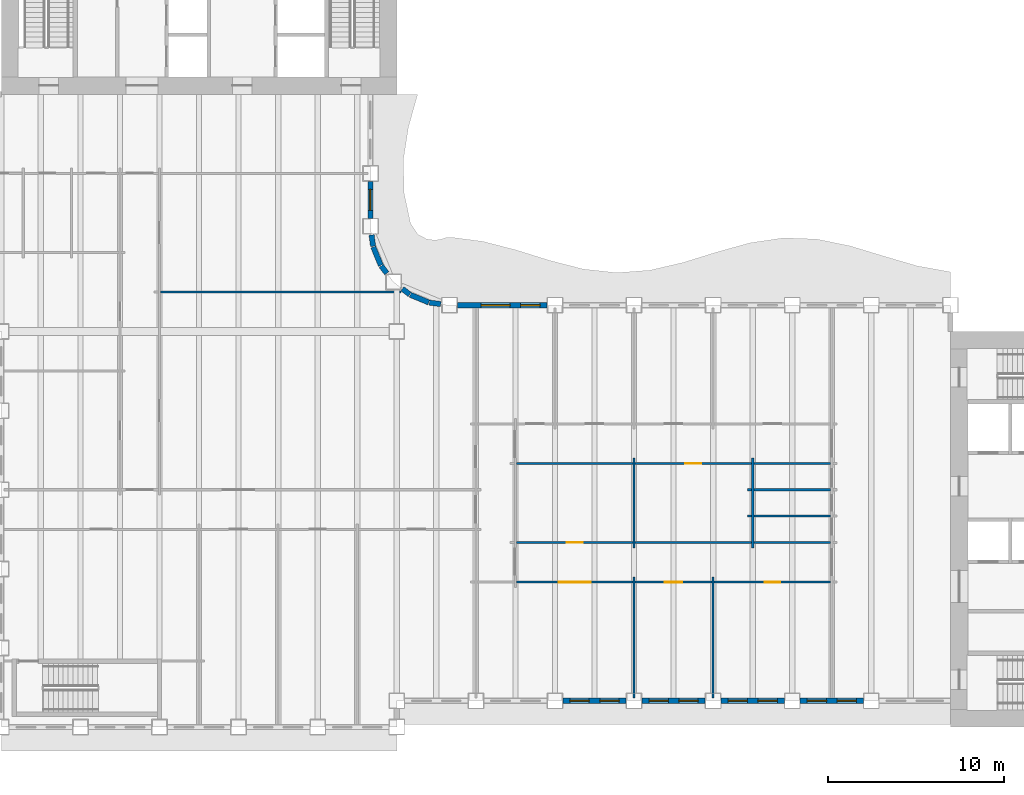
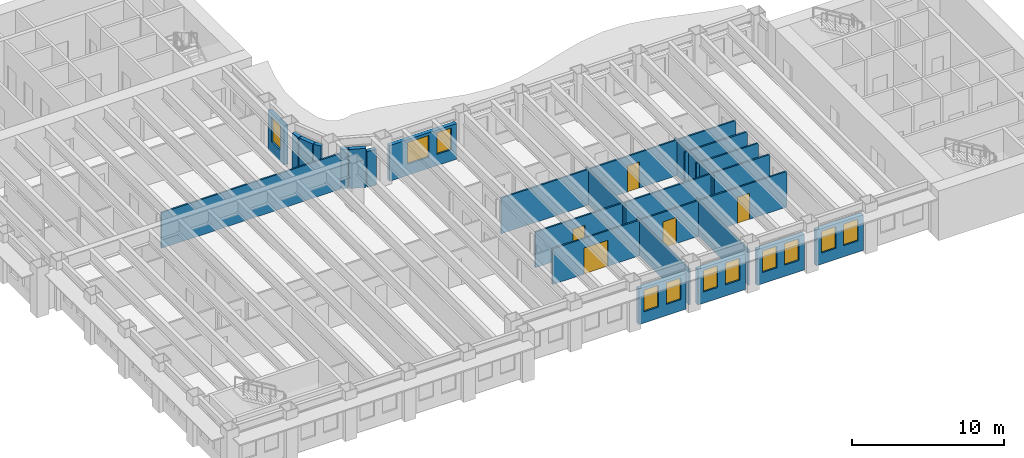
# One storey, part 5 of 16: 30 walls, 11 windows, 5 doors, 16 openings.
"""IFC4 building model written with IfcOpenShell, lengths in metres."""

from ifc_helpers import new_model, si_unit, direction, frame, frame_2d, origin, place, context, subcontext, project, spatial, rectangle, extrude, material, layer, layer_set, type_object, element, fill, save


model = new_model("IFC4")

# Units and contexts
model_context = context("Model", 3, precision=1e-05, world=origin(), true_north=direction((0.0, 1.0)))
body_context = subcontext(model_context, "Body", "Model", "MODEL_VIEW")
ifc_project = project(units=[si_unit("LENGTHUNIT", "METRE"), si_unit("AREAUNIT", "SQUARE_METRE"), si_unit("VOLUMEUNIT", "CUBIC_METRE"), si_unit("PLANEANGLEUNIT", "RADIAN"), si_unit("MASSUNIT", "GRAM", prefix="KILO")], contexts=[model_context])

# Site, building, storey
site_placement = place(None, origin())
site = spatial("IfcSite", under=ifc_project, at=site_placement, CompositionType="ELEMENT")
building_placement = place(site_placement, origin())
building = spatial("IfcBuilding", under=site, at=building_placement, Name="Sennacour Bend Tower", CompositionType="ELEMENT")
storey_placement = place(building_placement, frame((0.0, 0.0, 171.0)))
storey = spatial("IfcBuildingStorey", under=building, at=storey_placement, Name="L39", CompositionType="ELEMENT", Elevation=171.0)

# Walls
ifc_material_1 = material(Name="Plasterboard partition on steel studs", Category="steel")
ifc_layer_1 = layer(ifc_material_1, 0.1201171875, Name="Plasterboard partition on steel studs", Category="steel")
ifc_layer_set_1 = layer_set([ifc_layer_1], Name="Plasterboard partition on steel studs")
wall_type_1 = type_object("IfcWallType", Name="Partition 120", PredefinedType="PARTITIONING", material=ifc_layer_set_1)
wall_1_placement = place(storey_placement, frame((36.0, 1.64990234375, 0.0), z_axis=(0.0, 0.0, 1.0), x_axis=(0.0, 1.0, 0.0)))
element("IfcWall", 1, at=wall_1_placement, inside=storey, type_object=wall_type_1, Name="P-L39-W030a", PredefinedType="PARTITIONING", context=body_context, shape_type="SweptSolid", body=[
    extrude(rectangle(XDim=6.900146484375, YDim=0.1201171875, at=frame_2d((3.4501953125, 0.0))), origin(), (0.0, 0.0, 1.0), 2.8701171875),
])
wall_2_placement = place(storey_placement, frame((36.0, 10.199951171875, 0.0), z_axis=(0.0, 0.0, 1.0), x_axis=(0.0, 1.0, 0.0)))
element("IfcWall", 2, at=wall_2_placement, inside=storey, type_object=wall_type_1, Name="P-L39-W031a", PredefinedType="PARTITIONING", context=body_context, shape_type="SweptSolid", body=[
    extrude(rectangle(XDim=5.10009765625, YDim=0.1201171875, at=frame_2d((2.550048828125, 0.0))), origin(), (0.0, 0.0, 1.0), 2.8701171875),
])
wall_3_placement = place(storey_placement, frame((40.5, 1.64990234375, 0.0), z_axis=(0.0, 0.0, 1.0), x_axis=(0.0, 1.0, 0.0)))
element("IfcWall", 3, at=wall_3_placement, inside=storey, type_object=wall_type_1, Name="P-L39-W033a", PredefinedType="PARTITIONING", context=body_context, shape_type="SweptSolid", body=[
    extrude(rectangle(XDim=6.900146484375, YDim=0.1201171875, at=frame_2d((3.4501953125, 0.0))), origin(), (0.0, 0.0, 1.0), 2.8701171875),
])
wall_4_placement = place(storey_placement, frame((42.75, 10.199951171875, 0.0), z_axis=(0.0, 0.0, 1.0), x_axis=(0.0, 1.0, 0.0)))
element("IfcWall", 4, at=wall_4_placement, inside=storey, type_object=wall_type_1, Name="P-L39-W035a", PredefinedType="PARTITIONING", context=body_context, shape_type="SweptSolid", body=[
    extrude(rectangle(XDim=5.10009765625, YDim=0.1201171875, at=frame_2d((2.550048828125, 0.0))), origin(), (0.0, 0.0, 1.0), 2.8701171875),
])

# Wall, opening, door
wall_5_placement = place(storey_placement, frame((29.31005859375, 8.25, 0.0), z_axis=(0.0, 0.0, 1.0), x_axis=(1.0, 0.0, 0.0)))
wall_5 = element("IfcWall", 5, at=wall_5_placement, inside=storey, type_object=wall_type_1, Name="P-L39-W060ac", PredefinedType="PARTITIONING", context=body_context, shape_type="SweptSolid", body=[
    extrude(rectangle(XDim=6.6298828125, YDim=0.1201171875, at=frame_2d((3.31494140625, 0.0))), origin(), (0.0, 0.0, 1.0), 2.8701171875),
])
opening_1_placement = place(wall_5_placement, frame((2.414794921875, 0.0, 0.0)))
opening_1 = element("IfcOpeningElement", 6, at=opening_1_placement, cuts=wall_5, Name="Opening OD3", PredefinedType="OPENING", context=body_context, shape_type="SweptSolid", body=[
    extrude(rectangle(XDim=1.800048828125, YDim=2.10009765625, at=frame_2d((0.89990234375, 1.050048828125))), frame((0.0, 0.070068359375, 0.0), z_axis=(0.0, -1.0, 0.0), x_axis=(1.0, 0.0, 0.0)), (0.0, 0.0, 1.0), 0.14013671875),
])
ifc_material_2 = material(Name="Timber", Category="wood")
door_type_1 = type_object("IfcDoorType", Name="DR-OFFICE-1800", OperationType="NOTDEFINED", PredefinedType="DOOR", material=ifc_material_2)
door_1_placement = place(opening_1_placement, origin())
door_1 = element("IfcDoor", 7, at=door_1_placement, inside=storey, type_object=door_type_1, Name="Door", OperationType="DOUBLE_DOOR_SINGLE_SWING", OverallHeight=2.10009765625, OverallWidth=1.800048828125, PredefinedType="DOOR", context=body_context, shape_type="SweptSolid", body=[
    extrude(rectangle(XDim=1.800048828125, YDim=2.10009765625, at=frame_2d((0.89990234375, 1.050048828125))), frame((0.0, 0.02490234375, 0.0), z_axis=(0.0, -1.0, 0.0), x_axis=(1.0, 0.0, 0.0)), (0.0, 0.0, 1.0), 0.050048828125),
])
fill(opening_1, door_1)

wall_6_placement = place(storey_placement, frame((36.06005859375, 8.25, 0.0), z_axis=(0.0, 0.0, 1.0), x_axis=(1.0, 0.0, 0.0)))
wall_6 = element("IfcWall", 8, at=wall_6_placement, inside=storey, type_object=wall_type_1, Name="P-L39-W060ad", PredefinedType="PARTITIONING", context=body_context, shape_type="SweptSolid", body=[
    extrude(rectangle(XDim=4.3798828125, YDim=0.1201171875, at=frame_2d((2.18994140625, 0.0))), origin(), (0.0, 0.0, 1.0), 2.8701171875),
])
opening_2_placement = place(wall_6_placement, frame((1.68994140625, 0.0, 0.0)))
opening_2 = element("IfcOpeningElement", 9, at=opening_2_placement, cuts=wall_6, Name="Opening OD2", PredefinedType="OPENING", context=body_context, shape_type="SweptSolid", body=[
    extrude(rectangle(XDim=1.0, YDim=2.10009765625, at=frame_2d((0.5, 1.050048828125))), frame((0.0, 0.070068359375, 0.0), z_axis=(0.0, -1.0, 0.0), x_axis=(1.0, 0.0, 0.0)), (0.0, 0.0, 1.0), 0.14013671875),
])
door_type_2 = type_object("IfcDoorType", Name="DR-OFFICE-1000", OperationType="NOTDEFINED", PredefinedType="DOOR", material=ifc_material_2)
door_2_placement = place(opening_2_placement, origin())
door_2 = element("IfcDoor", 10, at=door_2_placement, inside=storey, type_object=door_type_2, Name="Door", OperationType="SINGLE_SWING_LEFT", OverallHeight=2.10009765625, OverallWidth=1.0, PredefinedType="DOOR", context=body_context, shape_type="SweptSolid", body=[
    extrude(rectangle(XDim=1.0, YDim=2.10009765625, at=frame_2d((0.5, 1.050048828125))), frame((0.0, 0.02490234375, 0.0), z_axis=(0.0, -1.0, 0.0), x_axis=(1.0, 0.0, 0.0)), (0.0, 0.0, 1.0), 0.050048828125),
])
fill(opening_2, door_2)

# Walls
wall_7_placement = place(storey_placement, frame((36.06005859375, 10.5, 0.0), z_axis=(0.0, 0.0, 1.0), x_axis=(1.0, 0.0, 0.0)))
element("IfcWall", 11, at=wall_7_placement, inside=storey, type_object=wall_type_1, Name="P-L39-W063ac", PredefinedType="PARTITIONING", context=body_context, shape_type="SweptSolid", body=[
    extrude(rectangle(XDim=6.6298828125, YDim=0.1201171875, at=frame_2d((3.31494140625, 0.0))), origin(), (0.0, 0.0, 1.0), 2.8701171875),
])
wall_8_placement = place(storey_placement, frame((42.81005859375, 10.5, 0.0), z_axis=(0.0, 0.0, 1.0), x_axis=(1.0, 0.0, 0.0)))
element("IfcWall", 12, at=wall_8_placement, inside=storey, type_object=wall_type_1, Name="P-L39-W063ad", PredefinedType="PARTITIONING", context=body_context, shape_type="SweptSolid", body=[
    extrude(rectangle(XDim=4.3798828125, YDim=0.1201171875, at=frame_2d((2.18994140625, 0.0))), origin(), (0.0, 0.0, 1.0), 2.8701171875),
])
wall_9_placement = place(storey_placement, frame((42.449951171875, 12.0, 0.0), z_axis=(0.0, 0.0, 1.0), x_axis=(1.0, 0.0, 0.0)))
element("IfcWall", 13, at=wall_9_placement, inside=storey, type_object=wall_type_1, Name="P-L39-W067aa", PredefinedType="PARTITIONING", context=body_context, shape_type="SweptSolid", body=[
    extrude(rectangle(XDim=0.239990234375, YDim=0.1201171875, at=frame_2d((0.1201171875, 0.0))), origin(), (0.0, 0.0, 1.0), 2.8701171875),
])
wall_10_placement = place(storey_placement, frame((42.81005859375, 12.0, 0.0), z_axis=(0.0, 0.0, 1.0), x_axis=(1.0, 0.0, 0.0)))
element("IfcWall", 14, at=wall_10_placement, inside=storey, type_object=wall_type_1, Name="P-L39-W067ab", PredefinedType="PARTITIONING", context=body_context, shape_type="SweptSolid", body=[
    extrude(rectangle(XDim=4.3798828125, YDim=0.1201171875, at=frame_2d((2.18994140625, 0.0))), origin(), (0.0, 0.0, 1.0), 2.8701171875),
])
wall_11_placement = place(storey_placement, frame((42.449951171875, 13.5, 0.0), z_axis=(0.0, 0.0, 1.0), x_axis=(1.0, 0.0, 0.0)))
element("IfcWall", 15, at=wall_11_placement, inside=storey, type_object=wall_type_1, Name="P-L39-W069aa", PredefinedType="PARTITIONING", context=body_context, shape_type="SweptSolid", body=[
    extrude(rectangle(XDim=0.239990234375, YDim=0.1201171875, at=frame_2d((0.1201171875, 0.0))), origin(), (0.0, 0.0, 1.0), 2.8701171875),
])
wall_12_placement = place(storey_placement, frame((42.81005859375, 13.5, 0.0), z_axis=(0.0, 0.0, 1.0), x_axis=(1.0, 0.0, 0.0)))
element("IfcWall", 16, at=wall_12_placement, inside=storey, type_object=wall_type_1, Name="P-L39-W069ab", PredefinedType="PARTITIONING", context=body_context, shape_type="SweptSolid", body=[
    extrude(rectangle(XDim=4.3798828125, YDim=0.1201171875, at=frame_2d((2.18994140625, 0.0))), origin(), (0.0, 0.0, 1.0), 2.8701171875),
])
wall_13_placement = place(storey_placement, frame((29.31005859375, 15.0, 0.0), z_axis=(0.0, 0.0, 1.0), x_axis=(1.0, 0.0, 0.0)))
element("IfcWall", 17, at=wall_13_placement, inside=storey, type_object=wall_type_1, Name="P-L39-W070ab", PredefinedType="PARTITIONING", context=body_context, shape_type="SweptSolid", body=[
    extrude(rectangle(XDim=6.6298828125, YDim=0.1201171875, at=frame_2d((3.31494140625, 0.0))), origin(), (0.0, 0.0, 1.0), 2.8701171875),
])
wall_14_placement = place(storey_placement, frame((42.81005859375, 15.0, 0.0), z_axis=(0.0, 0.0, 1.0), x_axis=(1.0, 0.0, 0.0)))
element("IfcWall", 18, at=wall_14_placement, inside=storey, type_object=wall_type_1, Name="P-L39-W070ad", PredefinedType="PARTITIONING", context=body_context, shape_type="SweptSolid", body=[
    extrude(rectangle(XDim=4.3798828125, YDim=0.1201171875, at=frame_2d((2.18994140625, 0.0))), origin(), (0.0, 0.0, 1.0), 2.8701171875),
])
wall_15_placement = place(storey_placement, frame((9.06005859375, 24.75, 0.0), z_axis=(0.0, 0.0, 1.0), x_axis=(1.0, 0.0, 0.0)))
element("IfcWall", 19, at=wall_15_placement, inside=storey, type_object=wall_type_1, Name="P-L39-W080ab", PredefinedType="PARTITIONING", context=body_context, shape_type="SweptSolid", body=[
    extrude(rectangle(XDim=13.6904296875, YDim=0.1201171875, at=frame_2d((6.84521484375, 0.0))), origin(), (0.0, 0.0, 1.0), 2.8701171875),
])

# Wall, opening, door
ifc_layer_2 = layer(ifc_material_1, 0.1201171875, Name="Plasterboard partition on steel studs", Category="steel")
ifc_layer_set_2 = layer_set([ifc_layer_2], Name="Plasterboard partition on steel studs")
wall_type_2 = type_object("IfcWallType", Name="Partition 120 EI 60", PredefinedType="PARTITIONING", material=ifc_layer_set_2)
wall_16_placement = place(storey_placement, frame((40.56005859375, 8.25, 0.0), z_axis=(0.0, 0.0, 1.0), x_axis=(1.0, 0.0, 0.0)))
wall_16 = element("IfcWall", 20, at=wall_16_placement, inside=storey, type_object=wall_type_2, Name="P-L39-W060ae", PredefinedType="PARTITIONING", context=body_context, shape_type="SweptSolid", body=[
    extrude(rectangle(XDim=6.6298828125, YDim=0.1201171875, at=frame_2d((3.31494140625, 0.0))), origin(), (0.0, 0.0, 1.0), 2.8701171875),
])
opening_3_placement = place(wall_16_placement, frame((2.864990234375, 0.0, 0.0)))
opening_3 = element("IfcOpeningElement", 21, at=opening_3_placement, cuts=wall_16, Name="Opening SV", PredefinedType="OPENING", context=body_context, shape_type="SweptSolid", body=[
    extrude(rectangle(XDim=0.89990234375, YDim=2.10009765625, at=frame_2d((0.449951171875, 1.050048828125))), frame((0.0, 0.070068359375, 0.0), z_axis=(0.0, -1.0, 0.0), x_axis=(1.0, 0.0, 0.0)), (0.0, 0.0, 1.0), 0.14013671875),
])
ifc_material_3 = material(Name="Painted steel", Category="steel")
door_type_3 = type_object("IfcDoorType", Name="DR-SERVICE-900", OperationType="NOTDEFINED", PredefinedType="DOOR", material=ifc_material_3)
door_3_placement = place(opening_3_placement, origin())
door_3 = element("IfcDoor", 22, at=door_3_placement, inside=storey, type_object=door_type_3, Name="Door", OperationType="SINGLE_SWING_LEFT", OverallHeight=2.10009765625, OverallWidth=0.89990234375, PredefinedType="DOOR", context=body_context, shape_type="SweptSolid", body=[
    extrude(rectangle(XDim=0.89990234375, YDim=2.10009765625, at=frame_2d((0.449951171875, 1.050048828125))), frame((0.0, 0.02490234375, 0.0), z_axis=(0.0, -1.0, 0.0), x_axis=(1.0, 0.0, 0.0)), (0.0, 0.0, 1.0), 0.050048828125),
])
fill(opening_3, door_3)

wall_17_placement = place(storey_placement, frame((29.31005859375, 10.5, 0.0), z_axis=(0.0, 0.0, 1.0), x_axis=(1.0, 0.0, 0.0)))
wall_17 = element("IfcWall", 23, at=wall_17_placement, inside=storey, type_object=wall_type_2, Name="P-L39-W063ab", PredefinedType="PARTITIONING", context=body_context, shape_type="SweptSolid", body=[
    extrude(rectangle(XDim=6.6298828125, YDim=0.1201171875, at=frame_2d((3.31494140625, 0.0))), origin(), (0.0, 0.0, 1.0), 2.8701171875),
])
opening_4_placement = place(wall_17_placement, frame((2.864990234375, 0.0, 0.0)))
opening_4 = element("IfcOpeningElement", 24, at=opening_4_placement, cuts=wall_17, Name="Opening SV", PredefinedType="OPENING", context=body_context, shape_type="SweptSolid", body=[
    extrude(rectangle(XDim=0.89990234375, YDim=2.10009765625, at=frame_2d((0.449951171875, 1.050048828125))), frame((0.0, 0.070068359375, 0.0), z_axis=(0.0, -1.0, 0.0), x_axis=(1.0, 0.0, 0.0)), (0.0, 0.0, 1.0), 0.14013671875),
])
door_4_placement = place(opening_4_placement, origin())
door_4 = element("IfcDoor", 25, at=door_4_placement, inside=storey, type_object=door_type_3, Name="Door", OperationType="SINGLE_SWING_LEFT", OverallHeight=2.10009765625, OverallWidth=0.89990234375, PredefinedType="DOOR", context=body_context, shape_type="SweptSolid", body=[
    extrude(rectangle(XDim=0.89990234375, YDim=2.10009765625, at=frame_2d((0.449951171875, 1.050048828125))), frame((0.0, 0.02490234375, 0.0), z_axis=(0.0, -1.0, 0.0), x_axis=(1.0, 0.0, 0.0)), (0.0, 0.0, 1.0), 0.050048828125),
])
fill(opening_4, door_4)

wall_18_placement = place(storey_placement, frame((36.06005859375, 15.0, 0.0), z_axis=(0.0, 0.0, 1.0), x_axis=(1.0, 0.0, 0.0)))
wall_18 = element("IfcWall", 26, at=wall_18_placement, inside=storey, type_object=wall_type_2, Name="P-L39-W070ac", PredefinedType="PARTITIONING", context=body_context, shape_type="SweptSolid", body=[
    extrude(rectangle(XDim=6.6298828125, YDim=0.1201171875, at=frame_2d((3.31494140625, 0.0))), origin(), (0.0, 0.0, 1.0), 2.8701171875),
])
opening_5_placement = place(wall_18_placement, frame((2.864990234375, 0.0, 0.0)))
opening_5 = element("IfcOpeningElement", 27, at=opening_5_placement, cuts=wall_18, Name="Opening SV", PredefinedType="OPENING", context=body_context, shape_type="SweptSolid", body=[
    extrude(rectangle(XDim=0.89990234375, YDim=2.10009765625, at=frame_2d((0.449951171875, 1.050048828125))), frame((0.0, 0.070068359375, 0.0), z_axis=(0.0, -1.0, 0.0), x_axis=(1.0, 0.0, 0.0)), (0.0, 0.0, 1.0), 0.14013671875),
])
door_5_placement = place(opening_5_placement, origin())
door_5 = element("IfcDoor", 28, at=door_5_placement, inside=storey, type_object=door_type_3, Name="Door", OperationType="SINGLE_SWING_LEFT", OverallHeight=2.10009765625, OverallWidth=0.89990234375, PredefinedType="DOOR", context=body_context, shape_type="SweptSolid", body=[
    extrude(rectangle(XDim=0.89990234375, YDim=2.10009765625, at=frame_2d((0.449951171875, 1.050048828125))), frame((0.0, 0.02490234375, 0.0), z_axis=(0.0, -1.0, 0.0), x_axis=(1.0, 0.0, 0.0)), (0.0, 0.0, 1.0), 0.050048828125),
])
fill(opening_5, door_5)

# Wall, openings, windows
ifc_material_4 = material(Name="Warm limestone cladding", Category="masonry")
ifc_layer_3 = layer(ifc_material_4, 0.050048828125, Name="Warm limestone cladding", Category="masonry")
ifc_material_5 = material(Name="Precast concrete C40/50", Category="concrete")
ifc_layer_4 = layer(ifc_material_5, 0.25, Name="Precast concrete C40/50", Category="concrete")
ifc_layer_set_3 = layer_set([ifc_layer_3, ifc_layer_4], Name="Precast concrete C40/50 with limestone cladding")
wall_type_3 = type_object("IfcWallType", Name="STONE-CLAD PRECAST SPANDREL 300", PredefinedType="STANDARD", material=ifc_layer_set_3)
wall_19_placement = place(storey_placement, frame((31.949951171875, 1.5, 0.0), z_axis=(0.0, 0.0, 1.0), x_axis=(1.0, 0.0, 0.0)))
wall_19 = element("IfcWall", 29, at=wall_19_placement, inside=storey, type_object=wall_type_3, Name="Stone spandrel and pier wall L39 02.02", PredefinedType="STANDARD", context=body_context, shape_type="SweptSolid", body=[
    extrude(rectangle(XDim=3.60009765625, YDim=0.300048828125, at=frame_2d((1.800048828125, 0.0))), origin(), (0.0, 0.0, 1.0), 2.8701171875),
])
opening_6_placement = place(wall_19_placement, frame((0.39990234375, 0.0, 0.89990234375)))
opening_6 = element("IfcOpeningElement", 30, at=opening_6_placement, cuts=wall_19, Name="Opening W17", PredefinedType="OPENING", context=body_context, shape_type="SweptSolid", body=[
    extrude(rectangle(XDim=1.10009765625, YDim=1.75, at=frame_2d((0.550048828125, 0.875))), frame((0.0, 0.16015625, 0.0), z_axis=(0.0, -1.0, 0.0), x_axis=(1.0, 0.0, 0.0)), (0.0, 0.0, 1.0), 0.320068359375),
])
opening_7_placement = place(wall_19_placement, frame((2.10009765625, 0.0, 0.89990234375)))
opening_7 = element("IfcOpeningElement", 31, at=opening_7_placement, cuts=wall_19, Name="Opening W17", PredefinedType="OPENING", context=body_context, shape_type="SweptSolid", body=[
    extrude(rectangle(XDim=1.10009765625, YDim=1.75, at=frame_2d((0.550048828125, 0.875))), frame((0.0, 0.16015625, 0.0), z_axis=(0.0, -1.0, 0.0), x_axis=(1.0, 0.0, 0.0)), (0.0, 0.0, 1.0), 0.320068359375),
])
ifc_material_6 = material(Name="Clear low-emissivity glass", Category="glass")
window_type_1 = type_object("IfcWindowType", Name="WIN-RIBBON-1100x1750", PartitioningType="SINGLE_PANEL", PredefinedType="WINDOW", material=ifc_material_6)
window_1_placement = place(opening_6_placement, origin())
window_1 = element("IfcWindow", 32, at=window_1_placement, inside=storey, type_object=window_type_1, Name="Ribbon window L39 02.02.0", OverallHeight=1.75, OverallWidth=1.10009765625, PartitioningType="SINGLE_PANEL", PredefinedType="WINDOW", context=body_context, shape_type="SweptSolid", body=[
    extrude(rectangle(XDim=1.10009765625, YDim=1.75, at=frame_2d((0.550048828125, 0.875))), frame((0.0, 0.030029296875, 0.0), z_axis=(0.0, -1.0, 0.0), x_axis=(1.0, 0.0, 0.0)), (0.0, 0.0, 1.0), 0.06005859375),
])
fill(opening_6, window_1)
window_2_placement = place(opening_7_placement, origin())
window_2 = element("IfcWindow", 33, at=window_2_placement, inside=storey, type_object=window_type_1, Name="Ribbon window L39 02.02.1", OverallHeight=1.75, OverallWidth=1.10009765625, PartitioningType="SINGLE_PANEL", PredefinedType="WINDOW", context=body_context, shape_type="SweptSolid", body=[
    extrude(rectangle(XDim=1.10009765625, YDim=1.75, at=frame_2d((0.550048828125, 0.875))), frame((0.0, 0.030029296875, 0.0), z_axis=(0.0, -1.0, 0.0), x_axis=(1.0, 0.0, 0.0)), (0.0, 0.0, 1.0), 0.06005859375),
])
fill(opening_7, window_2)

wall_20_placement = place(storey_placement, frame((36.449951171875, 1.5, 0.0), z_axis=(0.0, 0.0, 1.0), x_axis=(1.0, 0.0, 0.0)))
wall_20 = element("IfcWall", 34, at=wall_20_placement, inside=storey, type_object=wall_type_3, Name="Stone spandrel and pier wall L39 02.03", PredefinedType="STANDARD", context=body_context, shape_type="SweptSolid", body=[
    extrude(rectangle(XDim=3.60009765625, YDim=0.300048828125, at=frame_2d((1.800048828125, 0.0))), origin(), (0.0, 0.0, 1.0), 2.8701171875),
])
opening_8_placement = place(wall_20_placement, frame((0.39990234375, 0.0, 0.89990234375)))
opening_8 = element("IfcOpeningElement", 35, at=opening_8_placement, cuts=wall_20, Name="Opening W17", PredefinedType="OPENING", context=body_context, shape_type="SweptSolid", body=[
    extrude(rectangle(XDim=1.10009765625, YDim=1.75, at=frame_2d((0.550048828125, 0.875))), frame((0.0, 0.16015625, 0.0), z_axis=(0.0, -1.0, 0.0), x_axis=(1.0, 0.0, 0.0)), (0.0, 0.0, 1.0), 0.320068359375),
])
opening_9_placement = place(wall_20_placement, frame((2.10009765625, 0.0, 0.89990234375)))
opening_9 = element("IfcOpeningElement", 36, at=opening_9_placement, cuts=wall_20, Name="Opening W17", PredefinedType="OPENING", context=body_context, shape_type="SweptSolid", body=[
    extrude(rectangle(XDim=1.10009765625, YDim=1.75, at=frame_2d((0.550048828125, 0.875))), frame((0.0, 0.16015625, 0.0), z_axis=(0.0, -1.0, 0.0), x_axis=(1.0, 0.0, 0.0)), (0.0, 0.0, 1.0), 0.320068359375),
])
window_3_placement = place(opening_8_placement, origin())
window_3 = element("IfcWindow", 37, at=window_3_placement, inside=storey, type_object=window_type_1, Name="Ribbon window L39 02.03.0", OverallHeight=1.75, OverallWidth=1.10009765625, PartitioningType="SINGLE_PANEL", PredefinedType="WINDOW", context=body_context, shape_type="SweptSolid", body=[
    extrude(rectangle(XDim=1.10009765625, YDim=1.75, at=frame_2d((0.550048828125, 0.875))), frame((0.0, 0.030029296875, 0.0), z_axis=(0.0, -1.0, 0.0), x_axis=(1.0, 0.0, 0.0)), (0.0, 0.0, 1.0), 0.06005859375),
])
fill(opening_8, window_3)
window_4_placement = place(opening_9_placement, origin())
window_4 = element("IfcWindow", 38, at=window_4_placement, inside=storey, type_object=window_type_1, Name="Ribbon window L39 02.03.1", OverallHeight=1.75, OverallWidth=1.10009765625, PartitioningType="SINGLE_PANEL", PredefinedType="WINDOW", context=body_context, shape_type="SweptSolid", body=[
    extrude(rectangle(XDim=1.10009765625, YDim=1.75, at=frame_2d((0.550048828125, 0.875))), frame((0.0, 0.030029296875, 0.0), z_axis=(0.0, -1.0, 0.0), x_axis=(1.0, 0.0, 0.0)), (0.0, 0.0, 1.0), 0.06005859375),
])
fill(opening_9, window_4)

wall_21_placement = place(storey_placement, frame((40.949951171875, 1.5, 0.0), z_axis=(0.0, 0.0, 1.0), x_axis=(1.0, 0.0, 0.0)))
wall_21 = element("IfcWall", 39, at=wall_21_placement, inside=storey, type_object=wall_type_3, Name="Stone spandrel and pier wall L39 02.04", PredefinedType="STANDARD", context=body_context, shape_type="SweptSolid", body=[
    extrude(rectangle(XDim=3.60009765625, YDim=0.300048828125, at=frame_2d((1.800048828125, 0.0))), origin(), (0.0, 0.0, 1.0), 2.8701171875),
])
opening_10_placement = place(wall_21_placement, frame((0.39990234375, 0.0, 0.89990234375)))
opening_10 = element("IfcOpeningElement", 40, at=opening_10_placement, cuts=wall_21, Name="Opening W17", PredefinedType="OPENING", context=body_context, shape_type="SweptSolid", body=[
    extrude(rectangle(XDim=1.10009765625, YDim=1.75, at=frame_2d((0.550048828125, 0.875))), frame((0.0, 0.16015625, 0.0), z_axis=(0.0, -1.0, 0.0), x_axis=(1.0, 0.0, 0.0)), (0.0, 0.0, 1.0), 0.320068359375),
])
opening_11_placement = place(wall_21_placement, frame((2.10009765625, 0.0, 0.89990234375)))
opening_11 = element("IfcOpeningElement", 41, at=opening_11_placement, cuts=wall_21, Name="Opening W17", PredefinedType="OPENING", context=body_context, shape_type="SweptSolid", body=[
    extrude(rectangle(XDim=1.10009765625, YDim=1.75, at=frame_2d((0.550048828125, 0.875))), frame((0.0, 0.16015625, 0.0), z_axis=(0.0, -1.0, 0.0), x_axis=(1.0, 0.0, 0.0)), (0.0, 0.0, 1.0), 0.320068359375),
])
window_5_placement = place(opening_10_placement, origin())
window_5 = element("IfcWindow", 42, at=window_5_placement, inside=storey, type_object=window_type_1, Name="Ribbon window L39 02.04.0", OverallHeight=1.75, OverallWidth=1.10009765625, PartitioningType="SINGLE_PANEL", PredefinedType="WINDOW", context=body_context, shape_type="SweptSolid", body=[
    extrude(rectangle(XDim=1.10009765625, YDim=1.75, at=frame_2d((0.550048828125, 0.875))), frame((0.0, 0.030029296875, 0.0), z_axis=(0.0, -1.0, 0.0), x_axis=(1.0, 0.0, 0.0)), (0.0, 0.0, 1.0), 0.06005859375),
])
fill(opening_10, window_5)
window_6_placement = place(opening_11_placement, origin())
window_6 = element("IfcWindow", 43, at=window_6_placement, inside=storey, type_object=window_type_1, Name="Ribbon window L39 02.04.1", OverallHeight=1.75, OverallWidth=1.10009765625, PartitioningType="SINGLE_PANEL", PredefinedType="WINDOW", context=body_context, shape_type="SweptSolid", body=[
    extrude(rectangle(XDim=1.10009765625, YDim=1.75, at=frame_2d((0.550048828125, 0.875))), frame((0.0, 0.030029296875, 0.0), z_axis=(0.0, -1.0, 0.0), x_axis=(1.0, 0.0, 0.0)), (0.0, 0.0, 1.0), 0.06005859375),
])
fill(opening_11, window_6)

wall_22_placement = place(storey_placement, frame((45.449951171875, 1.5, 0.0), z_axis=(0.0, 0.0, 1.0), x_axis=(1.0, 0.0, 0.0)))
wall_22 = element("IfcWall", 44, at=wall_22_placement, inside=storey, type_object=wall_type_3, Name="Stone spandrel and pier wall L39 02.05", PredefinedType="STANDARD", context=body_context, shape_type="SweptSolid", body=[
    extrude(rectangle(XDim=3.60009765625, YDim=0.300048828125, at=frame_2d((1.800048828125, 0.0))), origin(), (0.0, 0.0, 1.0), 2.8701171875),
])
opening_12_placement = place(wall_22_placement, frame((0.39990234375, 0.0, 0.89990234375)))
opening_12 = element("IfcOpeningElement", 45, at=opening_12_placement, cuts=wall_22, Name="Opening W17", PredefinedType="OPENING", context=body_context, shape_type="SweptSolid", body=[
    extrude(rectangle(XDim=1.10009765625, YDim=1.75, at=frame_2d((0.550048828125, 0.875))), frame((0.0, 0.16015625, 0.0), z_axis=(0.0, -1.0, 0.0), x_axis=(1.0, 0.0, 0.0)), (0.0, 0.0, 1.0), 0.320068359375),
])
opening_13_placement = place(wall_22_placement, frame((2.10009765625, 0.0, 0.89990234375)))
opening_13 = element("IfcOpeningElement", 46, at=opening_13_placement, cuts=wall_22, Name="Opening W17", PredefinedType="OPENING", context=body_context, shape_type="SweptSolid", body=[
    extrude(rectangle(XDim=1.10009765625, YDim=1.75, at=frame_2d((0.550048828125, 0.875))), frame((0.0, 0.16015625, 0.0), z_axis=(0.0, -1.0, 0.0), x_axis=(1.0, 0.0, 0.0)), (0.0, 0.0, 1.0), 0.320068359375),
])
window_7_placement = place(opening_12_placement, origin())
window_7 = element("IfcWindow", 47, at=window_7_placement, inside=storey, type_object=window_type_1, Name="Ribbon window L39 02.05.0", OverallHeight=1.75, OverallWidth=1.10009765625, PartitioningType="SINGLE_PANEL", PredefinedType="WINDOW", context=body_context, shape_type="SweptSolid", body=[
    extrude(rectangle(XDim=1.10009765625, YDim=1.75, at=frame_2d((0.550048828125, 0.875))), frame((0.0, 0.030029296875, 0.0), z_axis=(0.0, -1.0, 0.0), x_axis=(1.0, 0.0, 0.0)), (0.0, 0.0, 1.0), 0.06005859375),
])
fill(opening_12, window_7)
window_8_placement = place(opening_13_placement, origin())
window_8 = element("IfcWindow", 48, at=window_8_placement, inside=storey, type_object=window_type_1, Name="Ribbon window L39 02.05.1", OverallHeight=1.75, OverallWidth=1.10009765625, PartitioningType="SINGLE_PANEL", PredefinedType="WINDOW", context=body_context, shape_type="SweptSolid", body=[
    extrude(rectangle(XDim=1.10009765625, YDim=1.75, at=frame_2d((0.550048828125, 0.875))), frame((0.0, 0.030029296875, 0.0), z_axis=(0.0, -1.0, 0.0), x_axis=(1.0, 0.0, 0.0)), (0.0, 0.0, 1.0), 0.06005859375),
])
fill(opening_13, window_8)

wall_23_placement = place(storey_placement, frame((31.050048828125, 24.0, 0.0), z_axis=(0.0, 0.0, 1.0), x_axis=(-1.0, 0.0, 0.0)))
wall_23 = element("IfcWall", 49, at=wall_23_placement, inside=storey, type_object=wall_type_3, Name="Stone spandrel and pier wall L39 08.05", PredefinedType="STANDARD", context=body_context, shape_type="SweptSolid", body=[
    extrude(rectangle(XDim=5.10009765625, YDim=0.300048828125, at=frame_2d((2.550048828125, 0.0))), origin(), (0.0, 0.0, 1.0), 2.8701171875),
])
opening_14_placement = place(wall_23_placement, frame((0.39990234375, 0.0, 0.89990234375)))
opening_14 = element("IfcOpeningElement", 50, at=opening_14_placement, cuts=wall_23, Name="Opening W17", PredefinedType="OPENING", context=body_context, shape_type="SweptSolid", body=[
    extrude(rectangle(XDim=1.10009765625, YDim=1.75, at=frame_2d((0.550048828125, 0.875))), frame((0.0, 0.16015625, 0.0), z_axis=(0.0, -1.0, 0.0), x_axis=(1.0, 0.0, 0.0)), (0.0, 0.0, 1.0), 0.320068359375),
])
opening_15_placement = place(wall_23_placement, frame((2.10009765625, 0.0, 0.89990234375)))
opening_15 = element("IfcOpeningElement", 51, at=opening_15_placement, cuts=wall_23, Name="Opening W18", PredefinedType="OPENING", context=body_context, shape_type="SweptSolid", body=[
    extrude(rectangle(XDim=1.64990234375, YDim=1.75, at=frame_2d((0.824951171875, 0.875))), frame((0.0, 0.16015625, 0.0), z_axis=(0.0, -1.0, 0.0), x_axis=(1.0, 0.0, 0.0)), (0.0, 0.0, 1.0), 0.320068359375),
])
window_9_placement = place(opening_14_placement, origin())
window_9 = element("IfcWindow", 52, at=window_9_placement, inside=storey, type_object=window_type_1, Name="Ribbon window L39 08.05.0", OverallHeight=1.75, OverallWidth=1.10009765625, PartitioningType="SINGLE_PANEL", PredefinedType="WINDOW", context=body_context, shape_type="SweptSolid", body=[
    extrude(rectangle(XDim=1.10009765625, YDim=1.75, at=frame_2d((0.550048828125, 0.875))), frame((0.0, 0.030029296875, 0.0), z_axis=(0.0, -1.0, 0.0), x_axis=(1.0, 0.0, 0.0)), (0.0, 0.0, 1.0), 0.06005859375),
])
fill(opening_14, window_9)
window_type_2 = type_object("IfcWindowType", Name="WIN-RIBBON-1650x1750", PartitioningType="SINGLE_PANEL", PredefinedType="WINDOW", material=ifc_material_6)
window_10_placement = place(opening_15_placement, origin())
window_10 = element("IfcWindow", 53, at=window_10_placement, inside=storey, type_object=window_type_2, Name="Ribbon window L39 08.05.1", OverallHeight=1.75, OverallWidth=1.64990234375, PartitioningType="SINGLE_PANEL", PredefinedType="WINDOW", context=body_context, shape_type="SweptSolid", body=[
    extrude(rectangle(XDim=1.64990234375, YDim=1.75, at=frame_2d((0.824951171875, 0.875))), frame((0.0, 0.030029296875, 0.0), z_axis=(0.0, -1.0, 0.0), x_axis=(1.0, 0.0, 0.0)), (0.0, 0.0, 1.0), 0.06005859375),
])
fill(opening_15, window_10)

# Walls
wall_24_placement = place(storey_placement, frame((24.99951171875, 24.06591796875, 0.0), z_axis=(0.0, 0.0, 1.0), x_axis=(-0.991423590996, 0.130687655177, 0.0)))
element("IfcWall", 54, at=wall_24_placement, inside=storey, type_object=wall_type_3, Name="Stone spandrel and pier wall L39 09.00", PredefinedType="STANDARD", context=body_context, shape_type="SweptSolid", body=[
    extrude(rectangle(XDim=0.650146484375, YDim=0.300048828125, at=frame_2d((0.3251953125, 0.0))), origin(), (0.0, 0.0, 1.0), 2.8701171875),
])
wall_25_placement = place(storey_placement, frame((24.317138671875, 24.160888671875, 0.0), z_axis=(0.0, 0.0, 1.0), x_axis=(-0.923914616768, 0.382598720491, 0.0)))
element("IfcWall", 55, at=wall_25_placement, inside=storey, type_object=wall_type_3, Name="Stone spandrel and pier wall L39 10.00", PredefinedType="STANDARD", context=body_context, shape_type="SweptSolid", body=[
    extrude(rectangle(XDim=1.13525390625, YDim=0.300048828125, at=frame_2d((0.567626953125, 0.0))), origin(), (0.0, 0.0, 1.0), 3.14892578125),
])
for number, where, z_axis, x_axis, name in (
    (56, (23.234375, 24.614990234375, 0.0), (0.0, 0.0, 1.0), (-0.793523857856, 0.608539141726, 0.0), "Stone spandrel and pier wall L39 11.00"),
    (57, (21.933837890625, 25.818603515625, 0.0), (0.0, 0.0, 1.0), (-0.608539141726, 0.793523857856, 0.0), "Stone spandrel and pier wall L39 12.00"),
):
    element("IfcWall", number, at=place(storey_placement, frame(where, z_axis=z_axis, x_axis=x_axis)), inside=storey, type_object=wall_type_3, Name=name, PredefinedType="STANDARD", context=body_context, shape_type="SweptSolid", body=[
        extrude(rectangle(XDim=0.52392578125, YDim=0.300048828125, at=frame_2d((0.261962890625, 0.0))), origin(), (0.0, 0.0, 1.0), 3.14892578125),
    ])
wall_26_placement = place(storey_placement, frame((21.59521484375, 26.268310546875, 0.0), z_axis=(0.0, 0.0, 1.0), x_axis=(-0.382598720491, 0.923914616768, 0.0)))
element("IfcWall", 58, at=wall_26_placement, inside=storey, type_object=wall_type_3, Name="Stone spandrel and pier wall L39 13.00", PredefinedType="STANDARD", context=body_context, shape_type="SweptSolid", body=[
    extrude(rectangle(XDim=1.13525390625, YDim=0.300048828125, at=frame_2d((0.567626953125, 0.0))), origin(), (0.0, 0.0, 1.0), 3.14892578125),
])
wall_27_placement = place(storey_placement, frame((21.15087890625, 27.35498046875, 0.0), z_axis=(0.0, 0.0, 1.0), x_axis=(-0.130687655177, 0.991423590996, 0.0)))
element("IfcWall", 59, at=wall_27_placement, inside=storey, type_object=wall_type_3, Name="Stone spandrel and pier wall L39 14.00", PredefinedType="STANDARD", context=body_context, shape_type="SweptSolid", body=[
    extrude(rectangle(XDim=0.650146484375, YDim=0.300048828125, at=frame_2d((0.3251953125, 0.0))), origin(), (0.0, 0.0, 1.0), 3.14892578125),
])

# Wall, opening, window
wall_28_placement = place(storey_placement, frame((21.0, 28.949951171875, 0.0), z_axis=(0.0, 0.0, 1.0), x_axis=(0.0, 1.0, 0.0)))
wall_28 = element("IfcWall", 60, at=wall_28_placement, inside=storey, type_object=wall_type_3, Name="Stone spandrel and pier wall L39 15.00", PredefinedType="STANDARD", context=body_context, shape_type="SweptSolid", body=[
    extrude(rectangle(XDim=2.10009765625, YDim=0.300048828125, at=frame_2d((1.050048828125, 0.0))), origin(), (0.0, 0.0, 1.0), 3.14892578125),
])
opening_16_placement = place(wall_28_placement, frame((0.449951171875, 0.0, 0.89990234375)))
opening_16 = element("IfcOpeningElement", 61, at=opening_16_placement, cuts=wall_28, Name="Opening W14", PredefinedType="OPENING", context=body_context, shape_type="SweptSolid", body=[
    extrude(rectangle(XDim=1.199951171875, YDim=2.0, at=frame_2d((0.60009765625, 1.0))), frame((0.0, 0.16015625, 0.0), z_axis=(0.0, -1.0, 0.0), x_axis=(1.0, 0.0, 0.0)), (0.0, 0.0, 1.0), 0.320068359375),
])
window_type_3 = type_object("IfcWindowType", Name="WIN-RIBBON-1200x2000", PartitioningType="SINGLE_PANEL", PredefinedType="WINDOW", material=ifc_material_6)
window_11_placement = place(opening_16_placement, origin())
window_11 = element("IfcWindow", 62, at=window_11_placement, inside=storey, type_object=window_type_3, Name="Ribbon window L39 15.00", OverallHeight=2.0, OverallWidth=1.199951171875, PartitioningType="SINGLE_PANEL", PredefinedType="WINDOW", context=body_context, shape_type="SweptSolid", body=[
    extrude(rectangle(XDim=1.199951171875, YDim=2.0, at=frame_2d((0.60009765625, 1.0))), frame((0.0, 0.030029296875, 0.0), z_axis=(0.0, -1.0, 0.0), x_axis=(1.0, 0.0, 0.0)), (0.0, 0.0, 1.0), 0.06005859375),
])
fill(opening_16, window_11)

save(model, "model.ifc")
